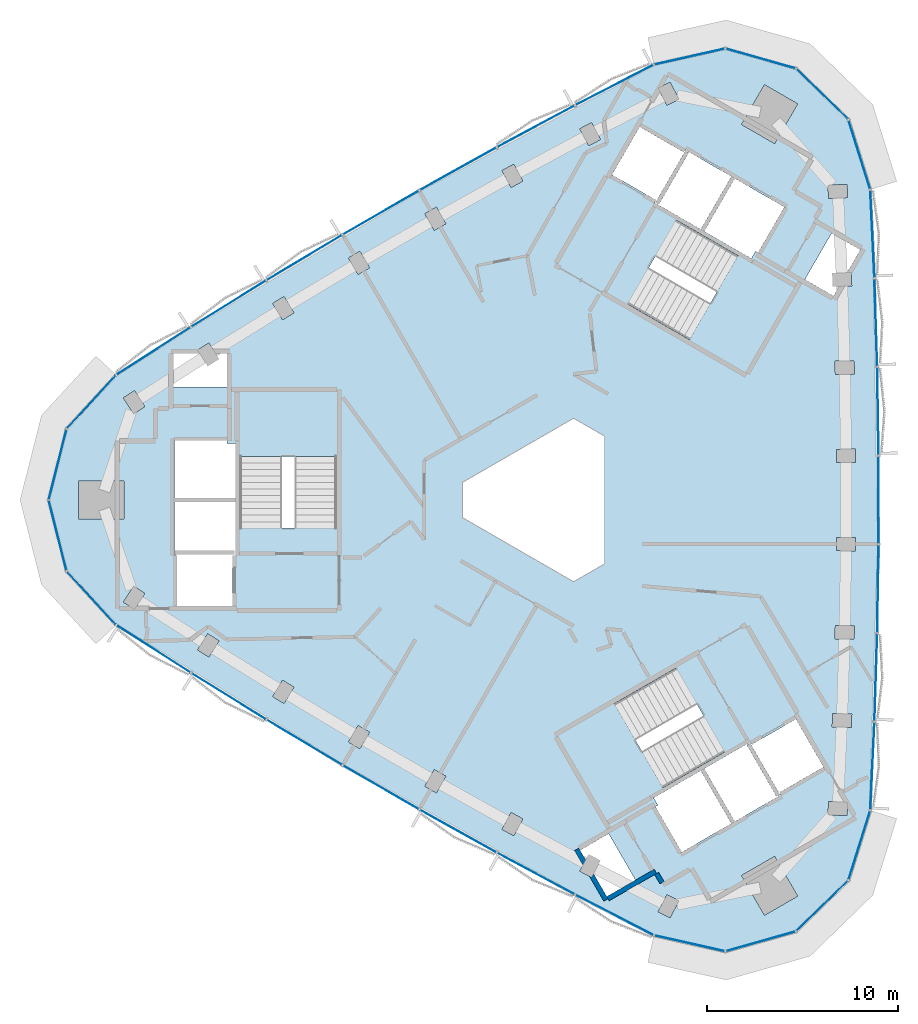
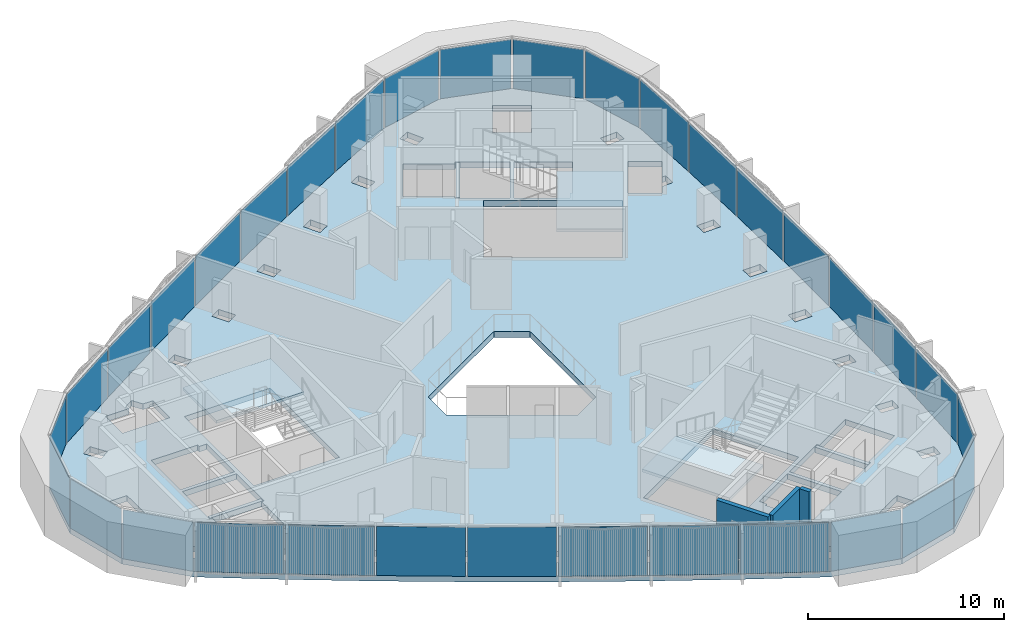
# One storey, part 5 of 13: 33 plates, 4 slabs, 3 walls, 6 elements without a shape of their own.
"""IFC4 building model written with IfcOpenShell, lengths in metres."""

from ifc_helpers import new_model, si_unit, direction, frame, frame_2d, origin, origin_2d, place, context, subcontext, project, spatial, polyline, rectangle, outline, extrude, material, layer, layer_set, type_object, element, aggregate, save


model = new_model("IFC4")

# Units and contexts
model_context = context("Model", 3, precision=1e-05, world=origin(), true_north=direction((0.0, 1.0)))
body_context = subcontext(model_context, "Body", "Model", "MODEL_VIEW")
ifc_project = project(units=[si_unit("LENGTHUNIT", "METRE"), si_unit("AREAUNIT", "SQUARE_METRE"), si_unit("VOLUMEUNIT", "CUBIC_METRE"), si_unit("PLANEANGLEUNIT", "RADIAN"), si_unit("MASSUNIT", "GRAM", prefix="KILO")], contexts=[model_context])

# Site, building, storey
site_placement = place(None, origin())
site = spatial("IfcSite", under=ifc_project, at=site_placement, CompositionType="ELEMENT")
building_placement = place(site_placement, origin())
building = spatial("IfcBuilding", under=site, at=building_placement, Name="Tamra Quay Hotel Tower", CompositionType="ELEMENT")
storey_placement = place(building_placement, frame((0.0, 0.0, 298.199951171875)))
storey = spatial("IfcBuildingStorey", under=building, at=storey_placement, Name="L75", CompositionType="ELEMENT", Elevation=298.199951171875)

# Stair, slab
ifc_material_1 = material(Name="Exit stair 2200 24 risers 150.0 going 342")
stair_type = type_object("IfcStairType", Name="Exit stair 2200 24 risers 150.0 going 342", PredefinedType="HALF_TURN_STAIR", material=ifc_material_1)
stair_1_placement = place(storey_placement, origin())
stair_1 = element("IfcStair", 1, at=stair_1_placement, inside=storey, type_object=stair_type, Name="L75 Exit stair ST3", PredefinedType="HALF_TURN_STAIR")
ifc_material_2 = material(Name="Concrete M70", Category="concrete")
ifc_layer_1 = layer(ifc_material_2, 0.175048828125)
ifc_layer_set_1 = layer_set([ifc_layer_1], Name="Concrete M70 stair landing 180")
slab_type_1 = type_object("IfcSlabType", Name="Concrete M70 stair landing 180", PredefinedType="LANDING", material=ifc_layer_set_1)
slab_1_placement = place(storey_placement, frame((0.0, 0.0, 1.625)))
slab_1 = element("IfcSlab", 2, at=slab_1_placement, type_object=slab_type_1, Name="ST3 landing 1", PredefinedType="LANDING", context=body_context, shape_type="SweptSolid", body=[
    extrude(outline(polyline([(-10.932373046875, 2.261962890625), (-10.932373046875, 5.679931640625), (-16.09130859375, 5.679931640625), (-16.09130859375, 2.261962890625), (-10.932373046875, 2.261962890625)])), origin(), (0.0, 0.0, 1.0), 0.175048828125),
])
aggregate(stair_1, [slab_1])

stair_2_placement = place(storey_placement, origin())
stair_2 = element("IfcStair", 3, at=stair_2_placement, inside=storey, type_object=stair_type, Name="L75 Exit stair ST1", PredefinedType="HALF_TURN_STAIR")
slab_2_placement = place(storey_placement, frame((0.0, 0.0, 1.625)))
slab_2 = element("IfcSlab", 4, at=slab_2_placement, type_object=slab_type_1, Name="ST1 landing 1", PredefinedType="LANDING", context=body_context, shape_type="SweptSolid", body=[
    extrude(outline(polyline([(7.425048828125, 8.336669921875), (10.385009765625, 6.627685546875), (12.964599609375, 11.095458984375), (10.00439453125, 12.804443359375), (7.425048828125, 8.336669921875)])), origin(), (0.0, 0.0, 1.0), 0.175048828125),
])
aggregate(stair_2, [slab_2])

stair_3_placement = place(storey_placement, origin())
stair_3 = element("IfcStair", 5, at=stair_3_placement, inside=storey, type_object=stair_type, Name="L75 Exit stair ST2", PredefinedType="HALF_TURN_STAIR")
slab_3_placement = place(storey_placement, frame((0.0, 0.0, 1.625)))
slab_3 = element("IfcSlab", 6, at=slab_3_placement, type_object=slab_type_1, Name="ST2 landing 1", PredefinedType="LANDING", context=body_context, shape_type="SweptSolid", body=[
    extrude(outline(polyline([(3.50732421875, -10.5986328125), (0.547119140625, -12.3076171875), (3.126708984375, -16.775390625), (6.086669921875, -15.06640625), (3.50732421875, -10.5986328125)])), origin(), (0.0, 0.0, 1.0), 0.175048828125),
])
aggregate(stair_3, [slab_3])

# Slab
ifc_material_3 = material(Name="Concrete M60", Category="concrete")
ifc_layer_2 = layer(ifc_material_3, 0.35009765625)
ifc_layer_set_2 = layer_set([ifc_layer_2], Name="FLOOR SLAB PT 350")
slab_type_2 = type_object("IfcSlabType", Name="FLOOR SLAB PT 350", PredefinedType="FLOOR", material=ifc_layer_set_2)
slab_4_placement = place(storey_placement, frame((0.0, 0.0, -0.349853515625)))
element("IfcSlab", 7, at=slab_4_placement, inside=storey, type_object=slab_type_2, Name="SLAB-L75", PredefinedType="FLOOR", context=body_context, shape_type="SweptSolid", body=[
    extrude(outline(polyline([(17.116943359375, 11.580810546875), (17.26171875, 6.9501953125), (17.333984375, 2.31689453125), (17.333984375, -2.31689453125), (17.26171875, -6.9501953125), (17.116943359375, -11.580810546875), (16.89990234375, -16.210205078125), (15.757080078125, -19.865966796875), (13.01171875, -22.536865234375), (9.325927734375, -23.5791015625), (5.58837890625, -22.740966796875), (1.470947265625, -20.614013671875), (-2.61181640625, -18.42431640625), (-6.660400390625, -16.170166015625), (-10.673583984375, -13.853271484375), (-14.64990234375, -11.473876953125), (-18.587890625, -9.033203125), (-22.488525390625, -6.530517578125), (-25.0830078125, -3.712890625), (-26.0234375, 0.0), (-25.0830078125, 3.712890625), (-22.488525390625, 6.530517578125), (-18.587890625, 9.033203125), (-14.64990234375, 11.473876953125), (-10.673583984375, 13.853271484375), (-6.660400390625, 16.170166015625), (-2.61181640625, 18.42431640625), (1.470947265625, 20.614013671875), (5.58837890625, 22.740966796875), (9.325927734375, 23.5791015625), (13.01171875, 22.536865234375), (15.757080078125, 19.865966796875), (16.89990234375, 16.210205078125), (17.116943359375, 11.580810546875)]), holes=[polyline([(-10.3671875, -12.641357421875), (-9.763671875, -12.99609375), (-9.2568359375, -12.13427734375), (-9.8603515625, -11.779296875), (-10.3671875, -12.641357421875)]), polyline([(-14.324462890625, -10.26708984375), (-13.7265625, -10.63134765625), (-13.206298828125, -9.77734375), (-13.803955078125, -9.4130859375), (-14.324462890625, -10.26708984375)]), polyline([(-18.244140625, -7.831298828125), (-17.652099609375, -8.20458984375), (-17.118896484375, -7.358642578125), (-17.7109375, -6.9853515625), (-18.244140625, -7.831298828125)]), polyline([(-21.57861328125, -4.497314453125), (-22.125244140625, -5.33447265625), (-21.539306640625, -5.71728515625), (-20.992431640625, -4.880126953125), (-21.57861328125, -4.497314453125)]), polyline([(-16.3173828125, -2.85498046875), (-19.4072265625, -2.85498046875), (-19.4072265625, -2.89306640625), (-19.307373046875, -2.89306640625), (-19.307373046875, -5.544921875), (-16.417236328125, -5.544921875), (-16.417236328125, -2.89306640625), (-16.3173828125, -2.89306640625), (-16.3173828125, -2.85498046875)]), polyline([(-19.417236328125, -2.64501953125), (-16.307373046875, -2.64501953125), (-16.307373046875, -2.89306640625), (-16.26708984375, -2.89306640625), (-16.26708984375, -0.10498046875), (-19.45751953125, -0.10498046875), (-19.45751953125, -2.89306640625), (-19.417236328125, -2.89306640625), (-19.417236328125, -2.64501953125)]), polyline([(-24.473388671875, 1.0), (-24.473388671875, -1.0), (-22.073486328125, -1.0), (-22.073486328125, 1.0), (-24.473388671875, 1.0)]), polyline([(-16.707275390625, 2.945068359375), (-16.707275390625, 3.09521484375), (-19.45751953125, 3.09521484375), (-19.45751953125, 0.10498046875), (-16.26708984375, 0.10498046875), (-16.26708984375, 2.945068359375), (-16.707275390625, 2.945068359375)]), polyline([(-16.036376953125, -1.455078125), (-10.9873046875, -1.455078125), (-10.9873046875, 5.625), (-16.036376953125, 5.625), (-16.036376953125, -1.455078125)]), polyline([(-20.992431640625, 4.880126953125), (-21.539306640625, 5.71728515625), (-22.125244140625, 5.33447265625), (-21.57861328125, 4.497314453125), (-20.992431640625, 4.880126953125)]), polyline([(-17.29931640625, 7.64501953125), (-17.652099609375, 8.20458984375), (-18.244140625, 7.831298828125), (-18.126708984375, 7.64501953125), (-19.50732421875, 7.64501953125), (-19.50732421875, 5.9150390625), (-16.71728515625, 5.9150390625), (-16.71728515625, 7.64501953125), (-17.29931640625, 7.64501953125)]), polyline([(-13.7265625, 10.63134765625), (-14.324462890625, 10.26708984375), (-13.803955078125, 9.4130859375), (-13.206298828125, 9.77734375), (-13.7265625, 10.63134765625)]), polyline([(-9.2568359375, 12.13427734375), (-9.763671875, 12.99609375), (-10.3671875, 12.641357421875), (-9.8603515625, 11.779296875), (-9.2568359375, 12.13427734375)]), polyline([(-5.271240234375, 14.428955078125), (-5.764404296875, 15.298828125), (-6.373291015625, 14.95361328125), (-5.880126953125, 14.083740234375), (-5.271240234375, 14.428955078125)]), polyline([(5.818359375, -21.51220703125), (6.44287109375, -21.828369140625), (6.89453125, -20.936279296875), (6.27001953125, -20.6201171875), (5.818359375, -21.51220703125)]), polyline([(3.236083984375, -17.43505859375), (1.73779296875, -18.300048828125), (2.02880859375, -18.80419921875), (1.720703125, -19.389404296875), (2.33984375, -19.715576171875), (2.442626953125, -19.520751953125), (3.1328125, -20.71630859375), (4.631103515625, -19.851318359375), (3.236083984375, -17.43505859375)]), polyline([(-2.34375, -17.203369140625), (-1.7294921875, -17.538818359375), (-1.25, -16.6611328125), (-1.864501953125, -16.32568359375), (-2.34375, -17.203369140625)]), polyline([(5.5830078125, -15.560302734375), (5.80322265625, -15.94140625), (5.673095703125, -16.0166015625), (7.04833984375, -18.398193359375), (9.6376953125, -16.903076171875), (8.042724609375, -14.14013671875), (5.5830078125, -15.560302734375)]), polyline([(12.214111328125, -15.369384765625), (11.999267578125, -15.493408203125), (10.4443359375, -12.800048828125), (10.6591796875, -12.676025390625), (10.63916015625, -12.64111328125), (8.224609375, -14.03515625), (9.819580078125, -16.798095703125), (12.234130859375, -15.404052734375), (12.214111328125, -15.369384765625)]), polyline([(-6.373291015625, -14.95361328125), (-5.764404296875, -15.298828125), (-5.271240234375, -14.428955078125), (-5.880126953125, -14.083740234375), (-6.373291015625, -14.95361328125)]), polyline([(6.75390625, -8.78759765625), (0.622314453125, -12.32763671875), (3.146728515625, -16.7001953125), (9.2783203125, -13.160400390625), (6.75390625, -8.78759765625)]), polyline([(-4.39990234375, 0.923828125), (-4.39990234375, -0.923828125), (1.39990234375, -4.2724609375), (3.0, -3.3486328125), (3.0, 3.3486328125), (1.39990234375, 4.2724609375), (-4.39990234375, 0.923828125)]), polyline([(6.758056640625, 14.615478515625), (4.2333984375, 10.242919921875), (10.364990234375, 6.702880859375), (12.889404296875, 11.075439453125), (6.758056640625, 14.615478515625)]), polyline([(7.203125, 18.262451171875), (7.41796875, 18.138427734375), (5.863037109375, 15.445068359375), (5.648193359375, 15.569091796875), (5.628173828125, 15.5341796875), (8.04248046875, 14.140380859375), (9.6376953125, 16.903076171875), (7.22314453125, 18.297119140625), (7.203125, 18.262451171875)]), polyline([(-1.7294921875, 17.538818359375), (-2.34375, 17.203369140625), (-1.864501953125, 16.32568359375), (-1.25, 16.6611328125), (-1.7294921875, 17.538818359375)]), polyline([(5.68603515625, 15.55859375), (7.231201171875, 18.234619140625), (7.1982421875, 18.253662109375), (7.148193359375, 18.1669921875), (4.8515625, 19.4931640625), (3.406494140625, 16.990234375), (5.703125, 15.664306640625), (5.6533203125, 15.57763671875), (5.68603515625, 15.55859375)]), polyline([(2.805908203125, 18.830810546875), (2.33984375, 19.715576171875), (1.720703125, 19.389404296875), (2.186767578125, 18.504638671875), (2.805908203125, 18.830810546875)]), polyline([(6.44287109375, 21.828369140625), (5.818359375, 21.51220703125), (6.27001953125, 20.6201171875), (6.89453125, 20.936279296875), (6.44287109375, 21.828369140625)]), polyline([(10.170654296875, -19.6162109375), (11.37060546875, -21.694580078125), (13.102783203125, -20.694580078125), (11.902587890625, -18.6162109375), (10.170654296875, -19.6162109375)]), polyline([(14.68408203125, -16.43896484375), (15.6826171875, -16.493896484375), (15.720947265625, -15.794921875), (14.722412109375, -15.739990234375), (14.68408203125, -16.43896484375)]), polyline([(12.176025390625, -15.379638671875), (12.208984375, -15.360595703125), (12.1591796875, -15.274169921875), (14.455810546875, -13.947998046875), (13.0107421875, -11.4453125), (10.714111328125, -12.771240234375), (10.6640625, -12.6845703125), (10.631103515625, -12.70361328125), (12.176025390625, -15.379638671875)]), polyline([(15.904296875, -11.88427734375), (15.931396484375, -11.184814453125), (14.93212890625, -11.14599609375), (14.905029296875, -11.845703125), (15.904296875, -11.88427734375)]), polyline([(16.0537109375, -7.271728515625), (16.0703125, -6.572021484375), (15.070556640625, -6.548095703125), (15.053955078125, -7.247802734375), (16.0537109375, -7.271728515625)]), polyline([(15.13134765625, -2.6494140625), (16.13134765625, -2.657470703125), (16.136962890625, -1.95751953125), (15.136962890625, -1.94970703125), (15.13134765625, -2.6494140625)]), polyline([(15.136962890625, 1.94970703125), (16.136962890625, 1.95751953125), (16.13134765625, 2.657470703125), (15.13134765625, 2.6494140625), (15.136962890625, 1.94970703125)]), polyline([(16.0703125, 6.572021484375), (16.0537109375, 7.271728515625), (15.053955078125, 7.247802734375), (15.070556640625, 6.548095703125), (16.0703125, 6.572021484375)]), polyline([(13.481201171875, 11.52001953125), (14.9794921875, 10.655029296875), (15.2705078125, 11.1591796875), (15.931396484375, 11.184814453125), (15.904296875, 11.88427734375), (15.68408203125, 11.875732421875), (16.37451171875, 13.0712890625), (14.876220703125, 13.936279296875), (13.481201171875, 11.52001953125)]), polyline([(10.904052734375, 12.996337890625), (11.0341796875, 12.92138671875), (12.4091796875, 15.302978515625), (9.819580078125, 16.798095703125), (8.224365234375, 14.035400390625), (10.68408203125, 12.615234375), (10.904052734375, 12.996337890625)]), polyline([(14.722412109375, 15.739990234375), (15.720947265625, 15.794921875), (15.6826171875, 16.493896484375), (14.68408203125, 16.43896484375), (14.722412109375, 15.739990234375)]), polyline([(11.902587890625, 18.6162109375), (13.102783203125, 20.694580078125), (11.37060546875, 21.694580078125), (10.170654296875, 19.6162109375), (11.902587890625, 18.6162109375)])]), origin(), (0.0, 0.0, 1.0), 0.349853515625),
])

# Curtain wall, plates
ifc_material_4 = material(Name="Aluminium 6063 anodised dark grey", Category="aluminium")
curtain_wall_type_1 = type_object("IfcCurtainWallType", Name="CW1 CURTAIN WALL", PredefinedType="NOTDEFINED", material=ifc_material_4)
curtain_wall_1_placement = place(storey_placement, origin())
curtain_wall_1 = element("IfcCurtainWall", 8, at=curtain_wall_1_placement, inside=storey, type_object=curtain_wall_type_1, Name="CW1 east face L75", PredefinedType="NOTDEFINED")
ifc_material_5 = material(Name="Glass clear laminated low-iron", Category="glass")
ifc_layer_3 = layer(ifc_material_5, 0.02587890625)
ifc_layer_set_3 = layer_set([ifc_layer_3], Name="GLASS PANEL CW1 Z6")
plate_type_1 = type_object("IfcPlateType", Name="GLASS PANEL CW1 Z6", PredefinedType="CURTAIN_PANEL", material=ifc_layer_set_3)
plate_1_placement = place(storey_placement, frame((17.00830078125, -13.8955078125, 0.0), z_axis=(0.0, 0.0, 1.0), x_axis=(0.04682126455, 0.998903283199, 0.0)))
plate_1 = element("IfcPlate", 9, at=plate_1_placement, type_object=plate_type_1, Name="CW1 glass L75.E.1", PredefinedType="CURTAIN_PANEL", context=body_context, shape_type="SweptSolid", body=[
    extrude(rectangle(XDim=4.534423828125, YDim=0.02587890625, at=origin_2d()), origin(), (0.0, 0.0, 1.0), 3.06005859375),
])
plate_2_placement = place(storey_placement, frame((17.189208984375, -9.265625, 0.0), z_axis=(0.0, 0.0, 1.0), x_axis=(0.031241804319, 0.999511855689, 0.0)))
plate_2 = element("IfcPlate", 10, at=plate_2_placement, type_object=plate_type_1, Name="CW1 glass L75.E.2", PredefinedType="CURTAIN_PANEL", context=body_context, shape_type="SweptSolid", body=[
    extrude(rectangle(XDim=4.532958984375, YDim=0.02587890625, at=origin_2d()), origin(), (0.0, 0.0, 1.0), 3.06005859375),
])
plate_3_placement = place(storey_placement, frame((17.2978515625, -4.633544921875, 0.0), z_axis=(0.0, 0.0, 1.0), x_axis=(0.01563239478, 0.999877806651, 0.0)))
plate_3 = element("IfcPlate", 11, at=plate_3_placement, type_object=plate_type_1, Name="CW1 glass L75.E.3", PredefinedType="CURTAIN_PANEL", context=body_context, shape_type="SweptSolid", body=[
    extrude(rectangle(XDim=4.533935546875, YDim=0.02587890625, at=origin_2d()), origin(), (0.0, 0.0, 1.0), 3.06005859375),
])
plate_4_placement = place(storey_placement, frame((17.333984375, 0.0, 0.0), z_axis=(0.0, 0.0, 1.0), x_axis=(0.0, 1.0, 0.0)))
plate_4 = element("IfcPlate", 12, at=plate_4_placement, type_object=plate_type_1, Name="CW1 glass L75.E.4", PredefinedType="CURTAIN_PANEL", context=body_context, shape_type="SweptSolid", body=[
    extrude(rectangle(XDim=4.533935546875, YDim=0.02587890625, at=origin_2d()), origin(), (0.0, 0.0, 1.0), 3.06005859375),
])
plate_5_placement = place(storey_placement, frame((17.2978515625, 4.633544921875, 0.0), z_axis=(0.0, 0.0, 1.0), x_axis=(-0.01563239478, 0.999877806651, 0.0)))
plate_5 = element("IfcPlate", 13, at=plate_5_placement, type_object=plate_type_1, Name="CW1 glass L75.E.5", PredefinedType="CURTAIN_PANEL", context=body_context, shape_type="SweptSolid", body=[
    extrude(rectangle(XDim=4.533935546875, YDim=0.02587890625, at=origin_2d()), origin(), (0.0, 0.0, 1.0), 3.06005859375),
])
plate_6_placement = place(storey_placement, frame((17.189208984375, 9.265625, 0.0), z_axis=(0.0, 0.0, 1.0), x_axis=(-0.031241804319, 0.999511855689, 0.0)))
plate_6 = element("IfcPlate", 14, at=plate_6_placement, type_object=plate_type_1, Name="CW1 glass L75.E.6", PredefinedType="CURTAIN_PANEL", context=body_context, shape_type="SweptSolid", body=[
    extrude(rectangle(XDim=4.532958984375, YDim=0.02587890625, at=origin_2d()), origin(), (0.0, 0.0, 1.0), 3.06005859375),
])
plate_7_placement = place(storey_placement, frame((17.00830078125, 13.8955078125, 0.0), z_axis=(0.0, 0.0, 1.0), x_axis=(-0.04682126455, 0.998903283199, 0.0)))
plate_7 = element("IfcPlate", 15, at=plate_7_placement, type_object=plate_type_1, Name="CW1 glass L75.E.7", PredefinedType="CURTAIN_PANEL", context=body_context, shape_type="SweptSolid", body=[
    extrude(rectangle(XDim=4.534423828125, YDim=0.02587890625, at=origin_2d()), origin(), (0.0, 0.0, 1.0), 3.06005859375),
])
plate_8_placement = place(storey_placement, frame((16.328369140625, 18.0380859375, 0.0), z_axis=(0.0, 0.0, 1.0), x_axis=(-0.29839239288, 0.954443282689, 0.0)))
plate_8 = element("IfcPlate", 16, at=plate_8_placement, type_object=plate_type_1, Name="CW1 glass L75.E.8", PredefinedType="CURTAIN_PANEL", context=body_context, shape_type="SweptSolid", body=[
    extrude(rectangle(XDim=3.730224609375, YDim=0.02587890625, at=origin_2d()), origin(), (0.0, 0.0, 1.0), 3.06005859375),
])
plate_9_placement = place(storey_placement, frame((14.38427734375, 21.201416015625, 0.0), z_axis=(0.0, 0.0, 1.0), x_axis=(-0.716752699854, 0.69732744622, 0.0)))
plate_9 = element("IfcPlate", 17, at=plate_9_placement, type_object=plate_type_1, Name="CW1 glass L75.E.9", PredefinedType="CURTAIN_PANEL", context=body_context, shape_type="SweptSolid", body=[
    extrude(rectangle(XDim=3.730224609375, YDim=0.02587890625, at=origin_2d()), origin(), (0.0, 0.0, 1.0), 3.06005859375),
])
plate_10_placement = place(storey_placement, frame((11.168701171875, 23.057861328125, 0.0), z_axis=(0.0, 0.0, 1.0), x_axis=(-0.96227963311, 0.272062323195, 0.0)))
plate_10 = element("IfcPlate", 18, at=plate_10_placement, type_object=plate_type_1, Name="CW1 glass L75.E.10", PredefinedType="CURTAIN_PANEL", context=body_context, shape_type="SweptSolid", body=[
    extrude(rectangle(XDim=3.730224609375, YDim=0.02587890625, at=origin_2d()), origin(), (0.0, 0.0, 1.0), 3.06005859375),
])
plate_11_placement = place(storey_placement, frame((7.457275390625, 23.159912109375, 0.0), z_axis=(0.0, 0.0, 1.0), x_axis=(-0.975768325721, -0.218806248814, 0.0)))
plate_11 = element("IfcPlate", 19, at=plate_11_placement, type_object=plate_type_1, Name="CW1 glass L75.E.11", PredefinedType="CURTAIN_PANEL", context=body_context, shape_type="SweptSolid", body=[
    extrude(rectangle(XDim=3.730224609375, YDim=0.02587890625, at=origin_2d()), origin(), (0.0, 0.0, 1.0), 3.06005859375),
])
aggregate(curtain_wall_1, [plate_1, plate_2, plate_3, plate_4, plate_5, plate_6, plate_7, plate_8, plate_9, plate_10, plate_11])

curtain_wall_type_2 = type_object("IfcCurtainWallType", Name="CW2 CURTAIN WALL", PredefinedType="NOTDEFINED", material=ifc_material_4)
curtain_wall_2_placement = place(storey_placement, origin())
curtain_wall_2 = element("IfcCurtainWall", 20, at=curtain_wall_2_placement, inside=storey, type_object=curtain_wall_type_2, Name="CW2 north-west face L75", PredefinedType="NOTDEFINED")
ifc_layer_4 = layer(ifc_material_5, 0.02587890625)
ifc_layer_set_4 = layer_set([ifc_layer_4], Name="GLASS PANEL CW2 Z6")
plate_type_2 = type_object("IfcPlateType", Name="GLASS PANEL CW2 Z6", PredefinedType="CURTAIN_PANEL", material=ifc_layer_set_4)
plate_12_placement = place(storey_placement, frame((3.52978515625, 21.677490234375, 0.0), z_axis=(0.0, 0.0, 1.0), x_axis=(-0.888486251449, -0.458903237062, 0.0)))
plate_12 = element("IfcPlate", 21, at=plate_12_placement, type_object=plate_type_2, Name="CW2 glass L75.NW.1", PredefinedType="CURTAIN_PANEL", context=body_context, shape_type="SweptSolid", body=[
    extrude(rectangle(XDim=4.534423828125, YDim=0.02587890625, at=origin_2d()), origin(), (0.0, 0.0, 1.0), 3.06005859375),
])
plate_13_placement = place(storey_placement, frame((-0.5703125, 19.51904296875, 0.0), z_axis=(0.0, 0.0, 1.0), x_axis=(-0.88122356057, -0.472699731644, 0.0)))
plate_13 = element("IfcPlate", 22, at=plate_13_placement, type_object=plate_type_2, Name="CW2 glass L75.NW.2", PredefinedType="CURTAIN_PANEL", context=body_context, shape_type="SweptSolid", body=[
    extrude(rectangle(XDim=4.532958984375, YDim=0.02587890625, at=origin_2d()), origin(), (0.0, 0.0, 1.0), 3.06005859375),
])
plate_14_placement = place(storey_placement, frame((-4.635986328125, 17.297119140625, 0.0), z_axis=(0.0, 0.0, 1.0), x_axis=(-0.87373577863, -0.486400852324, 0.0)))
plate_14 = element("IfcPlate", 23, at=plate_14_placement, type_object=plate_type_2, Name="CW2 glass L75.NW.3", PredefinedType="CURTAIN_PANEL", context=body_context, shape_type="SweptSolid", body=[
    extrude(rectangle(XDim=4.533935546875, YDim=0.02587890625, at=origin_2d()), origin(), (0.0, 0.0, 1.0), 3.06005859375),
])
plate_15_placement = place(storey_placement, frame((-8.6669921875, 15.01171875, 0.0), z_axis=(0.0, 0.0, 1.0), x_axis=(-0.866025403784, -0.5, 0.0)))
plate_15 = element("IfcPlate", 24, at=plate_15_placement, type_object=plate_type_2, Name="CW2 glass L75.NW.4", PredefinedType="CURTAIN_PANEL", context=body_context, shape_type="SweptSolid", body=[
    extrude(rectangle(XDim=4.533935546875, YDim=0.02587890625, at=origin_2d()), origin(), (0.0, 0.0, 1.0), 3.06005859375),
])
plate_16_placement = place(storey_placement, frame((-12.661865234375, 12.66357421875, 0.0), z_axis=(0.0, 0.0, 1.0), x_axis=(-0.85810338385, -0.513476954327, 0.0)))
plate_16 = element("IfcPlate", 25, at=plate_16_placement, type_object=plate_type_2, Name="CW2 glass L75.NW.5", PredefinedType="CURTAIN_PANEL", context=body_context, shape_type="SweptSolid", body=[
    extrude(rectangle(XDim=4.533935546875, YDim=0.02587890625, at=origin_2d()), origin(), (0.0, 0.0, 1.0), 3.06005859375),
])
plate_17_placement = place(storey_placement, frame((-16.618896484375, 10.25341796875, 0.0), z_axis=(0.0, 0.0, 1.0), x_axis=(-0.849981756251, -0.526812124045, 0.0)))
plate_17 = element("IfcPlate", 26, at=plate_17_placement, type_object=plate_type_2, Name="CW2 glass L75.NW.6", PredefinedType="CURTAIN_PANEL", context=body_context, shape_type="SweptSolid", body=[
    extrude(rectangle(XDim=4.532958984375, YDim=0.02587890625, at=origin_2d()), origin(), (0.0, 0.0, 1.0), 3.06005859375),
])
plate_18_placement = place(storey_placement, frame((-20.5380859375, 7.781982421875, 0.0), z_axis=(0.0, 0.0, 1.0), x_axis=(-0.841664986899, -0.540000046137, 0.0)))
plate_18 = element("IfcPlate", 27, at=plate_18_placement, type_object=plate_type_2, Name="CW2 glass L75.NW.7", PredefinedType="CURTAIN_PANEL", context=body_context, shape_type="SweptSolid", body=[
    extrude(rectangle(XDim=4.534423828125, YDim=0.02587890625, at=origin_2d()), origin(), (0.0, 0.0, 1.0), 3.06005859375),
])
plate_19_placement = place(storey_placement, frame((-23.78564453125, 5.121826171875, 0.0), z_axis=(0.0, 0.0, 1.0), x_axis=(-0.67737593284, -0.735637033875, 0.0)))
plate_19 = element("IfcPlate", 28, at=plate_19_placement, type_object=plate_type_2, Name="CW2 glass L75.NW.8", PredefinedType="CURTAIN_PANEL", context=body_context, shape_type="SweptSolid", body=[
    extrude(rectangle(XDim=3.730224609375, YDim=0.02587890625, at=origin_2d()), origin(), (0.0, 0.0, 1.0), 3.06005859375),
])
plate_20_placement = place(storey_placement, frame((-25.55322265625, 1.8564453125, 0.0), z_axis=(0.0, 0.0, 1.0), x_axis=(-0.245526933255, -0.969389769415, 0.0)))
plate_20 = element("IfcPlate", 29, at=plate_20_placement, type_object=plate_type_2, Name="CW2 glass L75.NW.9", PredefinedType="CURTAIN_PANEL", context=body_context, shape_type="SweptSolid", body=[
    extrude(rectangle(XDim=3.730224609375, YDim=0.02587890625, at=origin_2d()), origin(), (0.0, 0.0, 1.0), 3.06005859375),
])
plate_21_placement = place(storey_placement, frame((-25.55322265625, -1.8564453125, 0.0), z_axis=(0.0, 0.0, 1.0), x_axis=(0.245526933255, -0.969389769415, 0.0)))
plate_21 = element("IfcPlate", 30, at=plate_21_placement, type_object=plate_type_2, Name="CW2 glass L75.NW.10", PredefinedType="CURTAIN_PANEL", context=body_context, shape_type="SweptSolid", body=[
    extrude(rectangle(XDim=3.730224609375, YDim=0.02587890625, at=origin_2d()), origin(), (0.0, 0.0, 1.0), 3.06005859375),
])
plate_22_placement = place(storey_placement, frame((-23.78564453125, -5.121826171875, 0.0), z_axis=(0.0, 0.0, 1.0), x_axis=(0.67737593284, -0.735637033875, 0.0)))
plate_22 = element("IfcPlate", 31, at=plate_22_placement, type_object=plate_type_2, Name="CW2 glass L75.NW.11", PredefinedType="CURTAIN_PANEL", context=body_context, shape_type="SweptSolid", body=[
    extrude(rectangle(XDim=3.730224609375, YDim=0.02587890625, at=origin_2d()), origin(), (0.0, 0.0, 1.0), 3.06005859375),
])
aggregate(curtain_wall_2, [plate_12, plate_13, plate_14, plate_15, plate_16, plate_17, plate_18, plate_19, plate_20, plate_21, plate_22])

curtain_wall_type_3 = type_object("IfcCurtainWallType", Name="CW3 CURTAIN WALL", PredefinedType="NOTDEFINED", material=ifc_material_4)
curtain_wall_3_placement = place(storey_placement, origin())
curtain_wall_3 = element("IfcCurtainWall", 32, at=curtain_wall_3_placement, inside=storey, type_object=curtain_wall_type_3, Name="CW3 south-west face L75", PredefinedType="NOTDEFINED")
ifc_layer_5 = layer(ifc_material_5, 0.02587890625)
ifc_layer_set_5 = layer_set([ifc_layer_5], Name="GLASS PANEL CW3 Z6")
plate_type_3 = type_object("IfcPlateType", Name="GLASS PANEL CW3 Z6", PredefinedType="CURTAIN_PANEL", material=ifc_layer_set_5)
plate_23_placement = place(storey_placement, frame((-20.5380859375, -7.781982421875, 0.0), z_axis=(0.0, 0.0, 1.0), x_axis=(0.841664986899, -0.540000046137, 0.0)))
plate_23 = element("IfcPlate", 33, at=plate_23_placement, type_object=plate_type_3, Name="CW3 glass L75.SW.1", PredefinedType="CURTAIN_PANEL", context=body_context, shape_type="SweptSolid", body=[
    extrude(rectangle(XDim=4.534423828125, YDim=0.02587890625, at=origin_2d()), origin(), (0.0, 0.0, 1.0), 3.06005859375),
])
plate_24_placement = place(storey_placement, frame((-16.618896484375, -10.25341796875, 0.0), z_axis=(0.0, 0.0, 1.0), x_axis=(0.849981756251, -0.526812124045, 0.0)))
plate_24 = element("IfcPlate", 34, at=plate_24_placement, type_object=plate_type_3, Name="CW3 glass L75.SW.2", PredefinedType="CURTAIN_PANEL", context=body_context, shape_type="SweptSolid", body=[
    extrude(rectangle(XDim=4.532958984375, YDim=0.02587890625, at=origin_2d()), origin(), (0.0, 0.0, 1.0), 3.06005859375),
])
plate_25_placement = place(storey_placement, frame((-12.661865234375, -12.66357421875, 0.0), z_axis=(0.0, 0.0, 1.0), x_axis=(0.85810338385, -0.513476954327, 0.0)))
plate_25 = element("IfcPlate", 35, at=plate_25_placement, type_object=plate_type_3, Name="CW3 glass L75.SW.3", PredefinedType="CURTAIN_PANEL", context=body_context, shape_type="SweptSolid", body=[
    extrude(rectangle(XDim=4.533935546875, YDim=0.02587890625, at=origin_2d()), origin(), (0.0, 0.0, 1.0), 3.06005859375),
])
plate_26_placement = place(storey_placement, frame((-8.6669921875, -15.01171875, 0.0), z_axis=(0.0, 0.0, 1.0), x_axis=(0.866025403784, -0.5, 0.0)))
plate_26 = element("IfcPlate", 36, at=plate_26_placement, type_object=plate_type_3, Name="CW3 glass L75.SW.4", PredefinedType="CURTAIN_PANEL", context=body_context, shape_type="SweptSolid", body=[
    extrude(rectangle(XDim=4.533935546875, YDim=0.02587890625, at=origin_2d()), origin(), (0.0, 0.0, 1.0), 3.06005859375),
])
plate_27_placement = place(storey_placement, frame((-4.635986328125, -17.297119140625, 0.0), z_axis=(0.0, 0.0, 1.0), x_axis=(0.87373577863, -0.486400852324, 0.0)))
plate_27 = element("IfcPlate", 37, at=plate_27_placement, type_object=plate_type_3, Name="CW3 glass L75.SW.5", PredefinedType="CURTAIN_PANEL", context=body_context, shape_type="SweptSolid", body=[
    extrude(rectangle(XDim=4.533935546875, YDim=0.02587890625, at=origin_2d()), origin(), (0.0, 0.0, 1.0), 3.06005859375),
])
plate_28_placement = place(storey_placement, frame((-0.5703125, -19.51904296875, 0.0), z_axis=(0.0, 0.0, 1.0), x_axis=(0.88122356057, -0.472699731644, 0.0)))
plate_28 = element("IfcPlate", 38, at=plate_28_placement, type_object=plate_type_3, Name="CW3 glass L75.SW.6", PredefinedType="CURTAIN_PANEL", context=body_context, shape_type="SweptSolid", body=[
    extrude(rectangle(XDim=4.532958984375, YDim=0.02587890625, at=origin_2d()), origin(), (0.0, 0.0, 1.0), 3.06005859375),
])
plate_29_placement = place(storey_placement, frame((3.52978515625, -21.677490234375, 0.0), z_axis=(0.0, 0.0, 1.0), x_axis=(0.888486251449, -0.458903237062, 0.0)))
plate_29 = element("IfcPlate", 39, at=plate_29_placement, type_object=plate_type_3, Name="CW3 glass L75.SW.7", PredefinedType="CURTAIN_PANEL", context=body_context, shape_type="SweptSolid", body=[
    extrude(rectangle(XDim=4.534423828125, YDim=0.02587890625, at=origin_2d()), origin(), (0.0, 0.0, 1.0), 3.06005859375),
])
plate_30_placement = place(storey_placement, frame((7.457275390625, -23.159912109375, 0.0), z_axis=(0.0, 0.0, 1.0), x_axis=(0.975768325721, -0.218806248814, 0.0)))
plate_30 = element("IfcPlate", 40, at=plate_30_placement, type_object=plate_type_3, Name="CW3 glass L75.SW.8", PredefinedType="CURTAIN_PANEL", context=body_context, shape_type="SweptSolid", body=[
    extrude(rectangle(XDim=3.730224609375, YDim=0.02587890625, at=origin_2d()), origin(), (0.0, 0.0, 1.0), 3.06005859375),
])
plate_31_placement = place(storey_placement, frame((11.168701171875, -23.057861328125, 0.0), z_axis=(0.0, 0.0, 1.0), x_axis=(0.96227963311, 0.272062323195, 0.0)))
plate_31 = element("IfcPlate", 41, at=plate_31_placement, type_object=plate_type_3, Name="CW3 glass L75.SW.9", PredefinedType="CURTAIN_PANEL", context=body_context, shape_type="SweptSolid", body=[
    extrude(rectangle(XDim=3.730224609375, YDim=0.02587890625, at=origin_2d()), origin(), (0.0, 0.0, 1.0), 3.06005859375),
])
plate_32_placement = place(storey_placement, frame((14.38427734375, -21.201416015625, 0.0), z_axis=(0.0, 0.0, 1.0), x_axis=(0.716752699854, 0.69732744622, 0.0)))
plate_32 = element("IfcPlate", 42, at=plate_32_placement, type_object=plate_type_3, Name="CW3 glass L75.SW.10", PredefinedType="CURTAIN_PANEL", context=body_context, shape_type="SweptSolid", body=[
    extrude(rectangle(XDim=3.730224609375, YDim=0.02587890625, at=origin_2d()), origin(), (0.0, 0.0, 1.0), 3.06005859375),
])
plate_33_placement = place(storey_placement, frame((16.328369140625, -18.0380859375, 0.0), z_axis=(0.0, 0.0, 1.0), x_axis=(0.29839239288, 0.954443282689, 0.0)))
plate_33 = element("IfcPlate", 43, at=plate_33_placement, type_object=plate_type_3, Name="CW3 glass L75.SW.11", PredefinedType="CURTAIN_PANEL", context=body_context, shape_type="SweptSolid", body=[
    extrude(rectangle(XDim=3.730224609375, YDim=0.02587890625, at=origin_2d()), origin(), (0.0, 0.0, 1.0), 3.06005859375),
])
aggregate(curtain_wall_3, [plate_23, plate_24, plate_25, plate_26, plate_27, plate_28, plate_29, plate_30, plate_31, plate_32, plate_33])

# Walls
ifc_layer_6 = layer(ifc_material_2, 0.25)
ifc_layer_set_6 = layer_set([ifc_layer_6], Name="Concrete M70 core wall 250")
wall_type = type_object("IfcWallType", Name="Concrete M70 core wall 250", PredefinedType="SHEAR", material=ifc_layer_set_6)
wall_1_placement = place(storey_placement, frame((3.085205078125, -20.893798828125, 0.0), z_axis=(0.0, 0.0, 1.0), x_axis=(-0.499978833458, 0.866037623948, 0.0)))
element("IfcWall", 44, at=wall_1_placement, inside=storey, type_object=wall_type, Name="CW1", PredefinedType="SHEAR", context=body_context, shape_type="SweptSolid", body=[
    extrude(rectangle(XDim=3.050048828125, YDim=0.25, at=frame_2d((1.52490234375, 0.0))), origin(), (0.0, 0.0, 1.0), 3.199951171875),
])
wall_2_placement = place(storey_placement, frame((5.6748046875, -19.39892578125, 0.0), z_axis=(0.0, 0.0, 1.0), x_axis=(-0.866026637627, -0.499997862916, 0.0)))
element("IfcWall", 45, at=wall_2_placement, inside=storey, type_object=wall_type, Name="CW1", PredefinedType="SHEAR", context=body_context, shape_type="SweptSolid", body=[
    extrude(rectangle(XDim=2.86474609375, YDim=0.25, at=frame_2d((1.432373046875, 0.0))), origin(), (0.0, 0.0, 1.0), 3.199951171875),
])
wall_3_placement = place(storey_placement, frame((6.01708984375, -19.99169921875, 0.0), z_axis=(0.0, 0.0, 1.0), x_axis=(-0.500364886717, 0.865814633822, 0.0)))
element("IfcWall", 46, at=wall_3_placement, inside=storey, type_object=wall_type, Name="CW1", PredefinedType="SHEAR", context=body_context, shape_type="SweptSolid", body=[
    extrude(rectangle(XDim=0.55908203125, YDim=0.25, at=frame_2d((0.279541015625, 0.0))), origin(), (0.0, 0.0, 1.0), 3.199951171875),
])

save(model, "model.ifc")
